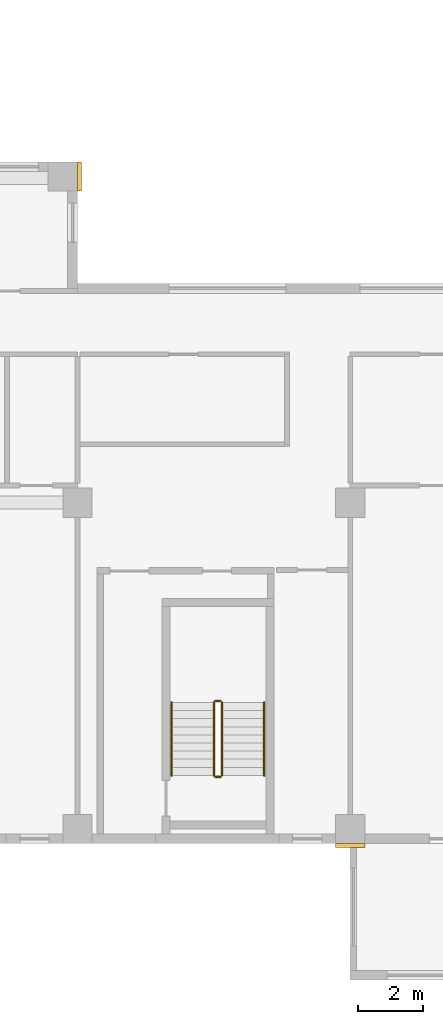
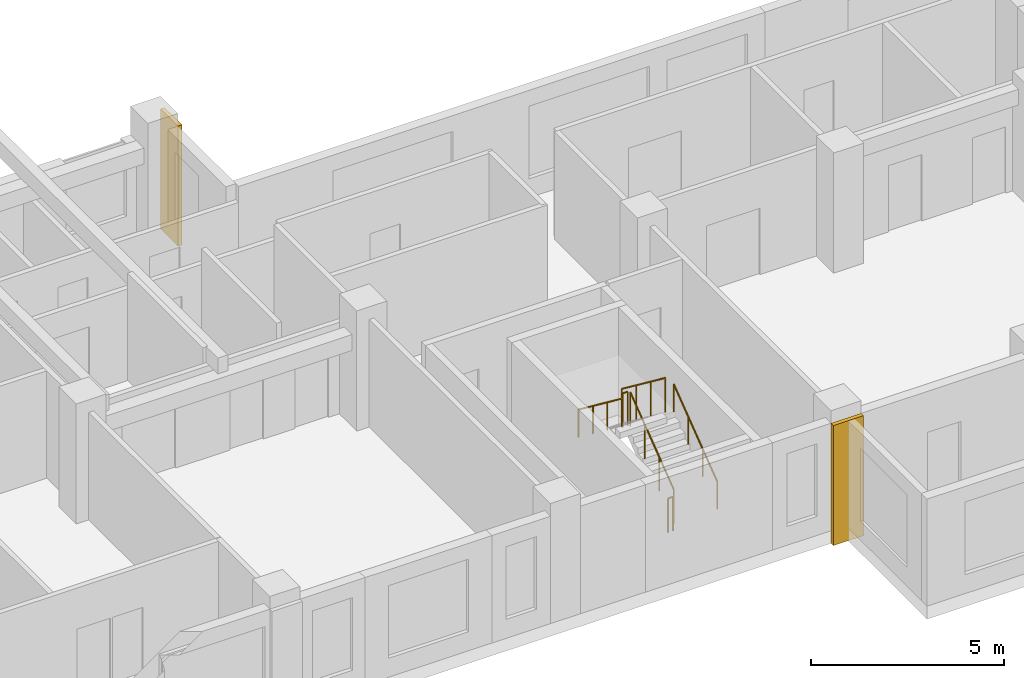
# One storey, part 11 of 12: 6 railings, 2 coverings.
"""IFC4 building model written with IfcOpenShell, lengths in metres."""

from ifc_helpers import new_model, si_unit, direction, frame, origin, origin_2d, place, context, subcontext, project, spatial, rectangle, circle, extrude, source, transform, mapped, material, type_object, element, save


model = new_model("IFC4")

# Units and contexts
model_context = context("Model", 3, precision=1e-05, world=origin(), true_north=direction((0.0, 1.0)))
body_context = subcontext(model_context, "Body", "Model", "MODEL_VIEW")
ifc_project = project(units=[si_unit("LENGTHUNIT", "METRE"), si_unit("AREAUNIT", "SQUARE_METRE"), si_unit("VOLUMEUNIT", "CUBIC_METRE"), si_unit("PLANEANGLEUNIT", "RADIAN"), si_unit("MASSUNIT", "GRAM", prefix="KILO")], contexts=[model_context])

# Site, building, storey
site_placement = place(None, origin())
site = spatial("IfcSite", under=ifc_project, at=site_placement, CompositionType="ELEMENT")
building_placement = place(site_placement, origin())
building = spatial("IfcBuilding", under=site, at=building_placement, Name="Aurelian Terraces", CompositionType="ELEMENT")
storey_placement = place(building_placement, frame((0.0, 0.0, 200.6)))
storey = spatial("IfcBuildingStorey", under=building, at=storey_placement, Name="L44", CompositionType="ELEMENT", Elevation=200.6)

# Coverings
ifc_material_1 = material(Name="Terracotta rainscreen cladding relief", Category="masonry")
covering_type = type_object("IfcCoveringType", Name="BAGUETTE-TC", PredefinedType="CLADDING", material=ifc_material_1)
shared_shape_1 = source(origin(), body_context, "Body", "SweptSolid", [
    extrude(rectangle(XDim=0.9, YDim=0.12, at=origin_2d()), origin(), (0.0, 0.0, 1.0), 3.8),
])
covering_1_placement = place(storey_placement, frame((46.2, -0.06, -0.4), z_axis=(0.0, 0.0, 1.0), x_axis=(1.0, 0.0, 0.0)))
element("IfcCovering", 1, at=covering_1_placement, inside=storey, type_object=covering_type, Name="BAGUETTE pier L44 3", PredefinedType="CLADDING", context=body_context, shape_type="MappedRepresentation", body=[
    mapped(shared_shape_1, transform((0.0, 0.0, 0.0), scale=1.0)),
])
shared_shape_2 = source(origin(), body_context, "Body", "SweptSolid", [
    extrude(rectangle(XDim=0.12, YDim=0.9, at=origin_2d()), origin(), (0.0, 0.0, 1.0), 3.8),
])
covering_2_placement = place(storey_placement, frame((37.86, 20.55, -0.4), z_axis=(0.0, 0.0, 1.0), x_axis=(1.0, 0.0, 0.0)))
element("IfcCovering", 2, at=covering_2_placement, inside=storey, type_object=covering_type, Name="BAGUETTE pier L44 6", PredefinedType="CLADDING", context=body_context, shape_type="MappedRepresentation", body=[
    mapped(shared_shape_2, transform((0.0, 0.0, 0.0), scale=1.0)),
])

# Railings
ifc_material_2 = material(Name="Stainless steel", Category="steel")
railing_type_1 = type_object("IfcRailingType", Name="Stair guard 1100", PredefinedType="GUARDRAIL", material=ifc_material_2)
shared_shape_3 = source(origin(), body_context, "Body", "SweptSolid", [
    extrude(circle(Radius=0.024, at=origin_2d()), frame((0.0, 0.0, 1.076), z_axis=(-1.0, 0.0, 0.0), x_axis=(0.0, -1.0, 0.0)), (0.0, 0.0, 1.0), 0.15),
    extrude(circle(Radius=0.021, at=origin_2d()), origin(), (0.0, 0.0, 1.0), 1.052),
    extrude(circle(Radius=0.021, at=origin_2d()), frame((-0.15, 0.0, 0.0)), (0.0, 0.0, 1.0), 1.052),
])
for number, where, name in (
    (3, (42.2, 4.4, 1.9), "L44 S2 stair guard 2"),
    (4, (42.2, 2.05, 0.0), "L44 S2 stair guard 4"),
):
    element("IfcRailing", number, at=place(storey_placement, frame(where)), inside=storey, type_object=railing_type_1, Name=name, PredefinedType="GUARDRAIL", context=body_context, shape_type="MappedRepresentation", body=[
        mapped(shared_shape_3, transform((0.0, 0.0, 0.0), scale=1.0)),
    ])
shared_shape_4 = source(origin(), body_context, "Body", "SweptSolid", [
    extrude(circle(Radius=0.024, at=origin_2d()), frame((0.0, 0.0, 1.076), z_axis=(0.0, 0.796162194123, 0.605083267534), x_axis=(-1.0, 0.0, 0.0)), (0.0, 0.0, 1.0), 2.8261),
    extrude(circle(Radius=0.021, at=origin_2d()), origin(), (0.0, 0.0, 1.0), 1.052),
    extrude(circle(Radius=0.021, at=origin_2d()), frame((0.0, 0.75, 0.57)), (0.0, 0.0, 1.0), 1.052),
    extrude(circle(Radius=0.021, at=origin_2d()), frame((0.0, 1.5, 1.14)), (0.0, 0.0, 1.0), 1.052),
    extrude(circle(Radius=0.021, at=origin_2d()), frame((0.0, 2.25, 1.71)), (0.0, 0.0, 1.0), 1.052),
])
railing_1_placement = place(storey_placement, frame((42.25, 2.1, 0.19)))
element("IfcRailing", 5, at=railing_1_placement, inside=storey, type_object=railing_type_1, Name="L44 S2 stair guard 1", PredefinedType="GUARDRAIL", context=body_context, shape_type="MappedRepresentation", body=[
    mapped(shared_shape_4, transform((0.0, 0.0, 0.0), scale=1.0)),
])
shared_shape_5 = source(origin(), body_context, "Body", "SweptSolid", [
    extrude(circle(Radius=0.024, at=origin_2d()), frame((0.0, 0.0, 1.076), z_axis=(0.0, -0.796162194123, 0.605083267534), x_axis=(1.0, 0.0, 0.0)), (0.0, 0.0, 1.0), 2.8261),
    extrude(circle(Radius=0.021, at=origin_2d()), origin(), (0.0, 0.0, 1.0), 1.052),
    extrude(circle(Radius=0.021, at=origin_2d()), frame((0.0, -0.75, 0.57)), (0.0, 0.0, 1.0), 1.052),
    extrude(circle(Radius=0.021, at=origin_2d()), frame((0.0, -1.5, 1.14)), (0.0, 0.0, 1.0), 1.052),
    extrude(circle(Radius=0.021, at=origin_2d()), frame((0.0, -2.25, 1.71)), (0.0, 0.0, 1.0), 1.052),
])
railing_2_placement = place(storey_placement, frame((42.0, 4.35, 2.09)))
element("IfcRailing", 6, at=railing_2_placement, inside=storey, type_object=railing_type_1, Name="L44 S2 stair guard 3", PredefinedType="GUARDRAIL", context=body_context, shape_type="MappedRepresentation", body=[
    mapped(shared_shape_5, transform((0.0, 0.0, 0.0), scale=1.0)),
])
railing_type_2 = type_object("IfcRailingType", Name="Stair handrail", PredefinedType="HANDRAIL", material=ifc_material_2)
shared_shape_6 = source(origin(), body_context, "Body", "SweptSolid", [
    extrude(circle(Radius=0.024, at=origin_2d()), frame((0.0, 0.0, 0.876), z_axis=(0.0, 0.796162194123, 0.605083267534), x_axis=(-1.0, 0.0, 0.0)), (0.0, 0.0, 1.0), 2.8261),
    extrude(circle(Radius=0.021, at=origin_2d()), origin(), (0.0, 0.0, 1.0), 0.852),
    extrude(circle(Radius=0.021, at=origin_2d()), frame((0.0, 0.75, 0.57)), (0.0, 0.0, 1.0), 0.852),
    extrude(circle(Radius=0.021, at=origin_2d()), frame((0.0, 1.5, 1.14)), (0.0, 0.0, 1.0), 0.852),
    extrude(circle(Radius=0.021, at=origin_2d()), frame((0.0, 2.25, 1.71)), (0.0, 0.0, 1.0), 0.852),
])
railing_3_placement = place(storey_placement, frame((43.55, 2.1, 0.19)))
element("IfcRailing", 7, at=railing_3_placement, inside=storey, type_object=railing_type_2, Name="L44 S2 stair handrail 1", PredefinedType="HANDRAIL", context=body_context, shape_type="MappedRepresentation", body=[
    mapped(shared_shape_6, transform((0.0, 0.0, 0.0), scale=1.0)),
])
shared_shape_7 = source(origin(), body_context, "Body", "SweptSolid", [
    extrude(circle(Radius=0.024, at=origin_2d()), frame((0.0, 0.0, 0.876), z_axis=(0.0, -0.796162194123, 0.605083267534), x_axis=(1.0, 0.0, 0.0)), (0.0, 0.0, 1.0), 2.8261),
    extrude(circle(Radius=0.021, at=origin_2d()), origin(), (0.0, 0.0, 1.0), 0.852),
    extrude(circle(Radius=0.021, at=origin_2d()), frame((0.0, -0.75, 0.57)), (0.0, 0.0, 1.0), 0.852),
    extrude(circle(Radius=0.021, at=origin_2d()), frame((0.0, -1.5, 1.14)), (0.0, 0.0, 1.0), 0.852),
    extrude(circle(Radius=0.021, at=origin_2d()), frame((0.0, -2.25, 1.71)), (0.0, 0.0, 1.0), 0.852),
])
railing_4_placement = place(storey_placement, frame((40.7, 4.35, 2.09)))
element("IfcRailing", 8, at=railing_4_placement, inside=storey, type_object=railing_type_2, Name="L44 S2 stair handrail 2", PredefinedType="HANDRAIL", context=body_context, shape_type="MappedRepresentation", body=[
    mapped(shared_shape_7, transform((0.0, 0.0, 0.0), scale=1.0)),
])

save(model, "model.ifc")
